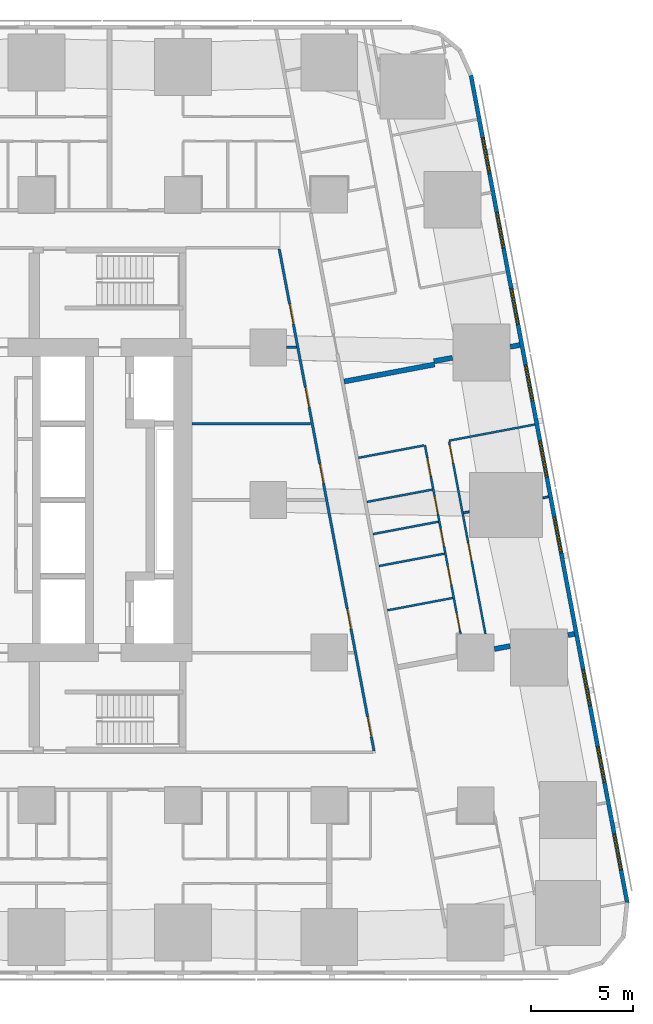
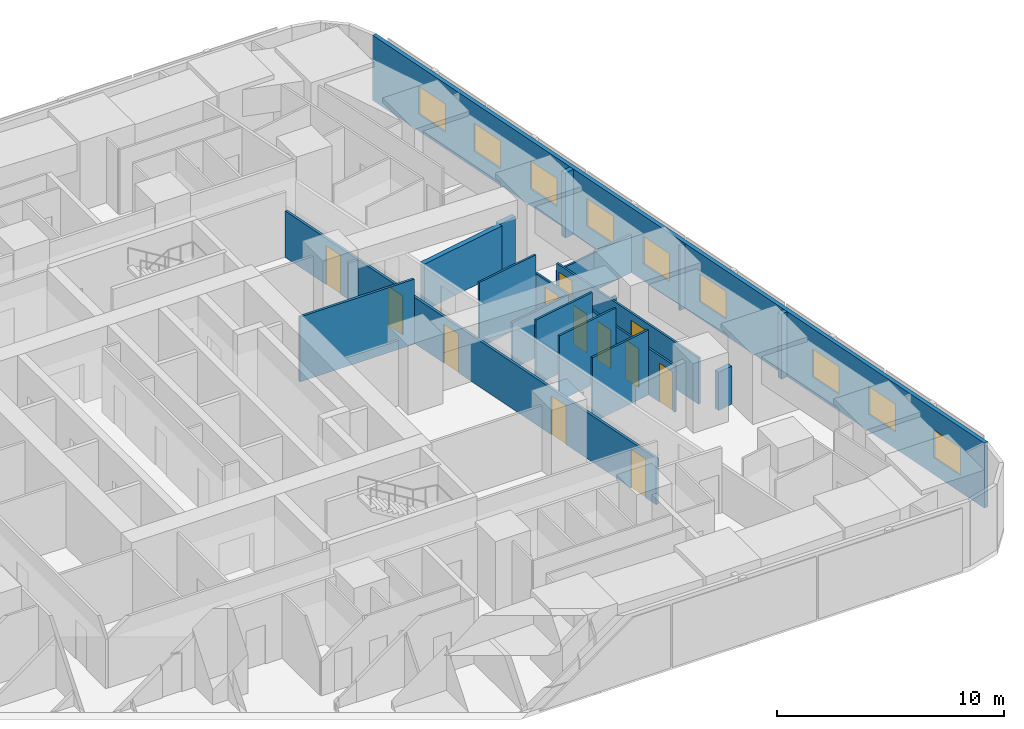
# One storey, part 10 of 18: 19 walls, 12 doors, 9 windows, 21 openings.
"""IFC4 building model written with IfcOpenShell, lengths in metres."""

import ifcopenshell
import ifcopenshell.guid

model = None  # the IFC model being written
_history = None  # IfcOwnerHistory: only IFC2X3 demands one
_inside = {}  # id of a spatial element -> (the spatial element, [elements in it])
_under = {}  # id of a project, library or spatial element -> (it, [spatial elements below it])
_declared = {}  # id of a project -> (the project, [libraries it declares])
_typed = {}  # id of a type object -> (the type object, [elements of that type])
_made_of = {}  # id of a material, layer set ... -> (it, [elements and type objects made of it])


def new_model(schema):
    """Start an empty IFC model of exactly this schema.

    Asked for "IFC4X3", IfcOpenShell would pick the latest addendum, in which some entities
    have other attributes; the version numbers below select the first issue.
    IFC2X3 requires an IfcOwnerHistory on every rooted entity: one is made here for all.
    """
    global model, _history
    if schema == "IFC4X3":
        model = ifcopenshell.file(schema_version=(4, 3, 0, 0))
    else:
        model = ifcopenshell.file(schema=schema)
    _inside.clear()
    _under.clear()
    _declared.clear()
    _typed.clear()
    _made_of.clear()
    _history = None
    if model.schema == "IFC2X3":
        org = make("IfcOrganization", Name="unknown")
        user = make(
            "IfcPersonAndOrganization",
            ThePerson=make("IfcPerson", FamilyName="unknown"),
            TheOrganization=org,
        )
        app = make(
            "IfcApplication",
            ApplicationDeveloper=org,
            Version="unknown",
            ApplicationFullName="unknown",
            ApplicationIdentifier="unknown",
        )
        _history = make(
            "IfcOwnerHistory",
            OwningUser=user,
            OwningApplication=app,
            ChangeAction="ADDED",
            CreationDate=0,
        )
    return model


def make(cls, **values):
    """One entity of the class cls with the attributes given. An attribute that is None is left unset."""
    return model.create_entity(
        cls, **{name: value for name, value in values.items() if value is not None}
    )


def rooted(cls, **values):
    """An entity with a GlobalId (a new one), such as an element, a storey or a relation."""
    return make(cls, GlobalId=ifcopenshell.guid.new(), OwnerHistory=_history, **values)


def si_unit(unit_type, name, prefix=None):
    """IfcSIUnit, for example si_unit("LENGTHUNIT", "METRE", prefix="MILLI")."""
    return make("IfcSIUnit", UnitType=unit_type, Prefix=prefix, Name=name)


def assignment(units):
    """IfcUnitAssignment: the units of a project."""
    return None if units is None else make("IfcUnitAssignment", Units=units)


def point(xyz):
    """IfcCartesianPoint."""
    return None if xyz is None else make("IfcCartesianPoint", Coordinates=xyz)


def direction(xyz):
    """IfcDirection."""
    return None if xyz is None else make("IfcDirection", DirectionRatios=xyz)


def frame(location, z_axis=None, x_axis=None):
    """IfcAxis2Placement3D, a coordinate frame: its origin and axes. An axis left out is left unset."""
    return make(
        "IfcAxis2Placement3D",
        Location=point(location),
        Axis=direction(z_axis),
        RefDirection=direction(x_axis),
    )


def frame_2d(location, x_axis=None):
    """IfcAxis2Placement2D, a coordinate frame in the plane: its origin and x axis."""
    return make(
        "IfcAxis2Placement2D", Location=point(location), RefDirection=direction(x_axis)
    )


def origin():
    """The frame at (0, 0, 0) with its axes left unset."""
    return frame((0.0, 0.0, 0.0))


def place(relative_to, where):
    """IfcLocalPlacement: puts the frame where relative to a parent placement (None: the world)."""
    return make(
        "IfcLocalPlacement", PlacementRelTo=relative_to, RelativePlacement=where
    )


def context(
    kind, dimensions, precision=None, world=None, true_north=None, identifier=None
):
    """IfcGeometricRepresentationContext, for example the 3D "Model" context."""
    return make(
        "IfcGeometricRepresentationContext",
        ContextIdentifier=identifier,
        ContextType=kind,
        CoordinateSpaceDimension=dimensions,
        Precision=precision,
        WorldCoordinateSystem=world,
        TrueNorth=true_north,
    )


def subcontext(parent, identifier, kind, view, scale=None):
    """IfcGeometricRepresentationSubContext, for example "Body" below "Model"."""
    return make(
        "IfcGeometricRepresentationSubContext",
        ContextIdentifier=identifier,
        ContextType=kind,
        ParentContext=parent,
        TargetScale=scale,
        TargetView=view,
    )


def project(units=None, contexts=None):
    """IfcProject with its units and contexts."""
    return rooted(
        "IfcProject",
        Name="project",
        RepresentationContexts=contexts,
        UnitsInContext=assignment(units),
    )


def spatial(cls, under=None, at=None, **own):
    """A site, building, storey or space (cls), placed at a placement, below another one or the project."""
    s = rooted(cls, ObjectPlacement=at, **own)
    if under is not None:
        _under.setdefault(under.id(), (under, []))[1].append(s)
    return s


def profile(cls, at=None, kind="AREA", **sizes):
    """A parametric profile (cls). Its sizes go by their IFC names, for example OverallWidth=200.0."""
    return make(cls, ProfileType=kind, Position=at, **sizes)


def rectangle(**sizes):
    """IfcRectangleProfileDef."""
    return profile("IfcRectangleProfileDef", **sizes)


def extrude(swept, where, along, depth):
    """IfcExtrudedAreaSolid: the profile swept, set in the frame where, extruded along a direction by depth."""
    return make(
        "IfcExtrudedAreaSolid",
        SweptArea=swept,
        Position=where,
        ExtrudedDirection=direction(along),
        Depth=depth,
    )


def shape(context_of_items, identifier, shape_type, items):
    """IfcShapeRepresentation: the items that make up one representation, for example the "Body"."""
    return make(
        "IfcShapeRepresentation",
        ContextOfItems=context_of_items,
        RepresentationIdentifier=identifier,
        RepresentationType=shape_type,
        Items=items,
    )


def material(Name=None, Category=None):
    """IfcMaterial."""
    return make("IfcMaterial", Name=Name, Category=Category)


def layer(
    of_material, thickness, ventilated=None, Name=None, Category=None, Priority=None
):
    """IfcMaterialLayer: one layer of a wall or slab, of a material (None: an air gap)."""
    return make(
        "IfcMaterialLayer",
        Material=of_material,
        LayerThickness=thickness,
        IsVentilated=ventilated,
        Name=Name,
        Category=Category,
        Priority=Priority,
    )


def layer_set(layers, Name=None):
    """IfcMaterialLayerSet."""
    return make("IfcMaterialLayerSet", MaterialLayers=layers, LayerSetName=Name)


def made_of(thing, what):
    """Note that an element or type object is made of a material, layer set ...; save() writes the relation."""
    if what is not None:
        _made_of.setdefault(what.id(), (what, []))[1].append(thing)
    return thing


def type_object(cls, material=None, **own):
    """A type object (cls), such as IfcWallType, which elements share."""
    return made_of(rooted(cls, **own), material)


def element(
    cls,
    number,
    at=None,
    inside=None,
    cuts=None,
    type_object=None,
    material=None,
    context=None,
    identifier="Body",
    shape_type=None,
    held_by="IfcProductDefinitionShape",
    body=None,
    shapes=None,
    **own,
):
    """One element of the class cls, such as IfcWall. Its Tag is "e" and its number.

    at: its placement. inside: the storey or other place that contains it. cuts: it is an
    opening in that element (IfcRelVoidsElement). A single representation is given by context,
    identifier, shape_type and body (its items); several are given by shapes. held_by: the class
    of the entity that holds the representations. save() writes the other relations.
    """
    e = rooted(cls, Tag="e%d" % number, ObjectPlacement=at, **own)
    if body is not None:
        shapes = [shape(context, identifier, shape_type, body)]
    if shapes is not None:
        e.Representation = make(held_by, Representations=shapes)
    if inside is not None:
        _inside.setdefault(inside.id(), (inside, []))[1].append(e)
    if cuts is not None:
        rooted(
            "IfcRelVoidsElement", RelatingBuildingElement=cuts, RelatedOpeningElement=e
        )
    if type_object is not None:
        _typed.setdefault(type_object.id(), (type_object, []))[1].append(e)
    return made_of(e, material)


def fill(opening, filler):
    """IfcRelFillsElement: the door or window that sits in an opening."""
    return rooted(
        "IfcRelFillsElement",
        RelatingOpeningElement=opening,
        RelatedBuildingElement=filler,
    )


def aggregate(whole, parts):
    """IfcRelAggregates: a whole, such as a stair, and the parts it consists of."""
    return rooted("IfcRelAggregates", RelatingObject=whole, RelatedObjects=parts)


def save(model, path):
    """Write the relations noted so far, then the file.

    IfcRelAggregates (storeys below a building ...), IfcRelContainedInSpatialStructure (elements
    in a storey), IfcRelDefinesByType, IfcRelAssociatesMaterial and IfcRelDeclares: one each for
    every whole, place, type object, material and project.
    """
    for whole, parts in _under.values():
        aggregate(whole, parts)
    for where, things in _inside.values():
        rooted(
            "IfcRelContainedInSpatialStructure",
            RelatedElements=things,
            RelatingStructure=where,
        )
    for kind, things in _typed.values():
        rooted("IfcRelDefinesByType", RelatedObjects=things, RelatingType=kind)
    for what, things in _made_of.values():
        rooted("IfcRelAssociatesMaterial", RelatedObjects=things, RelatingMaterial=what)
    for by, libraries in _declared.values():
        rooted("IfcRelDeclares", RelatingContext=by, RelatedDefinitions=libraries)
    model.write(path)


model = new_model("IFC4")

# Units and contexts
model_context = context("Model", 3, precision=1e-05, world=origin(), true_north=direction((0.0, 1.0)))
body_context = subcontext(model_context, "Body", "Model", "MODEL_VIEW")
ifc_project = project(units=[si_unit("LENGTHUNIT", "METRE"), si_unit("AREAUNIT", "SQUARE_METRE"), si_unit("VOLUMEUNIT", "CUBIC_METRE"), si_unit("PLANEANGLEUNIT", "RADIAN"), si_unit("MASSUNIT", "GRAM", prefix="KILO")], contexts=[model_context])

# Site, building, storey
site_placement = place(None, origin())
site = spatial("IfcSite", under=ifc_project, at=site_placement, CompositionType="ELEMENT")
building_placement = place(site_placement, origin())
building = spatial("IfcBuilding", under=site, at=building_placement, Name="Sheger Commons Tower", CompositionType="ELEMENT")
storey_placement = place(building_placement, frame((0.0, 0.0, 38.75)))
storey = spatial("IfcBuildingStorey", under=building, at=storey_placement, Name="L09", CompositionType="ELEMENT", Elevation=38.75)

# Walls
ifc_material_1 = material(Name="Dense concrete block masonry, plastered both sides (separating wall between flats)", Category="masonry")
ifc_layer_1 = layer(ifc_material_1, 0.25)
ifc_layer_set_1 = layer_set([ifc_layer_1], Name="DEMISING WALL 250")
wall_type_1 = type_object("IfcWallType", Name="DEMISING WALL 250", PredefinedType="SOLIDWALL", material=ifc_layer_set_1)
wall_1_placement = place(storey_placement, frame((45.3720703125, 30.12109375, 0.0), z_axis=(0.0, 0.0, 1.0), x_axis=(-0.982352019699, -0.187041464366, 0.0)))
element("IfcWall", 1, at=wall_1_placement, inside=storey, type_object=wall_type_1, Name="Demising wall L09", PredefinedType="SOLIDWALL", context=body_context, shape_type="SweptSolid", body=[
    extrude(rectangle(XDim=0.476318359375, YDim=0.25, at=frame_2d((0.23828125, 0.0))), origin(), (0.0, 0.0, 1.0), 3.5),
])
wall_2_placement = place(storey_placement, frame((42.055908203125, 29.493896484375, 0.0), z_axis=(0.0, 0.0, 1.0), x_axis=(-0.982587178881, -0.185802141803, 0.0)))
element("IfcWall", 2, at=wall_2_placement, inside=storey, type_object=wall_type_1, Name="Demising wall L09", PredefinedType="SOLIDWALL", context=body_context, shape_type="SweptSolid", body=[
    extrude(rectangle(XDim=0.925048828125, YDim=0.25, at=frame_2d((0.46240234375, 0.0))), origin(), (0.0, 0.0, 1.0), 2.5),
])
wall_3_placement = place(storey_placement, frame((41.177001953125, 29.1640625, 0.0), z_axis=(0.0, 0.0, 1.0), x_axis=(-0.982612837616, -0.185666398014, 0.0)))
element("IfcWall", 3, at=wall_3_placement, inside=storey, type_object=wall_type_1, Name="Demising wall L09", PredefinedType="SOLIDWALL", context=body_context, shape_type="SweptSolid", body=[
    extrude(rectangle(XDim=4.524658203125, YDim=0.25, at=frame_2d((2.26220703125, 0.0))), origin(), (0.0, 0.0, 1.0), 2.5),
])
wall_4_placement = place(storey_placement, frame((48.054931640625, 15.9169921875, 0.0), z_axis=(0.0, 0.0, 1.0), x_axis=(-0.982510408223, -0.186207673669, 0.0)))
element("IfcWall", 4, at=wall_4_placement, inside=storey, type_object=wall_type_1, Name="Demising wall L09", PredefinedType="SOLIDWALL", context=body_context, shape_type="SweptSolid", body=[
    extrude(rectangle(XDim=0.322509765625, YDim=0.25, at=frame_2d((0.1611328125, 0.0))), origin(), (0.0, 0.0, 1.0), 3.5),
])
wall_5_placement = place(storey_placement, frame((44.889892578125, 15.319091796875, 0.0), z_axis=(0.0, 0.0, 1.0), x_axis=(-0.982540856152, -0.186046945666, 0.0)))
element("IfcWall", 5, at=wall_5_placement, inside=storey, type_object=wall_type_1, Name="Demising wall L09", PredefinedType="SOLIDWALL", context=body_context, shape_type="SweptSolid", body=[
    extrude(rectangle(XDim=0.779541015625, YDim=0.25, at=frame_2d((0.3896484375, 0.0))), origin(), (0.0, 0.0, 1.0), 2.050048828125),
])

# Wall, openings, windows
ifc_material_2 = material(Name="Rendered concrete block masonry, dark grey", Category="masonry")
ifc_layer_2 = layer(ifc_material_2, 0.199951171875)
ifc_layer_set_2 = layer_set([ifc_layer_2], Name="FACADE WALL 200")
wall_type_2 = type_object("IfcWallType", Name="FACADE WALL 200", PredefinedType="SOLIDWALL", material=ifc_layer_set_2)
wall_6_placement = place(storey_placement, frame((50.653076171875, 2.702880859375, 0.0), z_axis=(0.0, 0.0, 1.0), x_axis=(-0.185612026696, 0.982623109613, 0.0)))
wall_6 = element("IfcWall", 6, at=wall_6_placement, inside=storey, type_object=wall_type_2, Name="Facade wall L09", PredefinedType="SOLIDWALL", context=body_context, shape_type="SweptSolid", body=[
    extrude(rectangle(XDim=41.393310546875, YDim=0.199951171875, at=frame_2d((20.69677734375, 0.0))), origin(), (0.0, 0.0, 1.0), 3.5),
])
opening_1_placement = place(wall_6_placement, frame((1.633056640625, 0.0, 0.89990234375)))
opening_1 = element("IfcOpeningElement", 7, at=opening_1_placement, cuts=wall_6, Name="Opening W2", PredefinedType="OPENING", context=body_context, shape_type="SweptSolid", body=[
    extrude(rectangle(XDim=1.800048828125, YDim=1.5, at=frame_2d((0.89990234375, 0.75))), frame((0.0, 0.10986328125, 0.0), z_axis=(0.0, -1.0, 0.0), x_axis=(1.0, 0.0, 0.0)), (0.0, 0.0, 1.0), 0.219970703125),
])
opening_2_placement = place(wall_6_placement, frame((6.031982421875, 0.0, 0.89990234375)))
opening_2 = element("IfcOpeningElement", 8, at=opening_2_placement, cuts=wall_6, Name="Opening W2", PredefinedType="OPENING", context=body_context, shape_type="SweptSolid", body=[
    extrude(rectangle(XDim=1.800048828125, YDim=1.5, at=frame_2d((0.89990234375, 0.75))), frame((0.0, 0.10986328125, 0.0), z_axis=(0.0, -1.0, 0.0), x_axis=(1.0, 0.0, 0.0)), (0.0, 0.0, 1.0), 0.219970703125),
])
opening_3_placement = place(wall_6_placement, frame((9.847900390625, 0.0, 0.89990234375)))
opening_3 = element("IfcOpeningElement", 9, at=opening_3_placement, cuts=wall_6, Name="Opening W2", PredefinedType="OPENING", context=body_context, shape_type="SweptSolid", body=[
    extrude(rectangle(XDim=1.800048828125, YDim=1.5, at=frame_2d((0.89990234375, 0.75))), frame((0.0, 0.10986328125, 0.0), z_axis=(0.0, -1.0, 0.0), x_axis=(1.0, 0.0, 0.0)), (0.0, 0.0, 1.0), 0.219970703125),
])
opening_4_placement = place(wall_6_placement, frame((17.48095703125, 0.0, 0.89990234375)))
opening_4 = element("IfcOpeningElement", 10, at=opening_4_placement, cuts=wall_6, Name="Opening W2", PredefinedType="OPENING", context=body_context, shape_type="SweptSolid", body=[
    extrude(rectangle(XDim=1.800048828125, YDim=1.5, at=frame_2d((0.89990234375, 0.75))), frame((0.0, 0.10986328125, 0.0), z_axis=(0.0, -1.0, 0.0), x_axis=(1.0, 0.0, 0.0)), (0.0, 0.0, 1.0), 0.219970703125),
])
opening_5_placement = place(wall_6_placement, frame((21.297119140625, 0.0, 0.89990234375)))
opening_5 = element("IfcOpeningElement", 11, at=opening_5_placement, cuts=wall_6, Name="Opening W2", PredefinedType="OPENING", context=body_context, shape_type="SweptSolid", body=[
    extrude(rectangle(XDim=1.800048828125, YDim=1.5, at=frame_2d((0.89990234375, 0.75))), frame((0.0, 0.10986328125, 0.0), z_axis=(0.0, -1.0, 0.0), x_axis=(1.0, 0.0, 0.0)), (0.0, 0.0, 1.0), 0.219970703125),
])
opening_6_placement = place(wall_6_placement, frame((25.113037109375, 0.0, 0.89990234375)))
opening_6 = element("IfcOpeningElement", 12, at=opening_6_placement, cuts=wall_6, Name="Opening W2", PredefinedType="OPENING", context=body_context, shape_type="SweptSolid", body=[
    extrude(rectangle(XDim=1.800048828125, YDim=1.5, at=frame_2d((0.89990234375, 0.75))), frame((0.0, 0.10986328125, 0.0), z_axis=(0.0, -1.0, 0.0), x_axis=(1.0, 0.0, 0.0)), (0.0, 0.0, 1.0), 0.219970703125),
])
opening_7_placement = place(wall_6_placement, frame((28.929931640625, 0.0, 0.89990234375)))
opening_7 = element("IfcOpeningElement", 13, at=opening_7_placement, cuts=wall_6, Name="Opening W2", PredefinedType="OPENING", context=body_context, shape_type="SweptSolid", body=[
    extrude(rectangle(XDim=1.800048828125, YDim=1.5, at=frame_2d((0.89990234375, 0.75))), frame((0.0, 0.10986328125, 0.0), z_axis=(0.0, -1.0, 0.0), x_axis=(1.0, 0.0, 0.0)), (0.0, 0.0, 1.0), 0.219970703125),
])
opening_8_placement = place(wall_6_placement, frame((32.74609375, 0.0, 0.89990234375)))
opening_8 = element("IfcOpeningElement", 14, at=opening_8_placement, cuts=wall_6, Name="Opening W2", PredefinedType="OPENING", context=body_context, shape_type="SweptSolid", body=[
    extrude(rectangle(XDim=1.800048828125, YDim=1.5, at=frame_2d((0.89990234375, 0.75))), frame((0.0, 0.10986328125, 0.0), z_axis=(0.0, -1.0, 0.0), x_axis=(1.0, 0.0, 0.0)), (0.0, 0.0, 1.0), 0.219970703125),
])
opening_9_placement = place(wall_6_placement, frame((36.48095703125, 0.0, 0.89990234375)))
opening_9 = element("IfcOpeningElement", 15, at=opening_9_placement, cuts=wall_6, Name="Opening W2", PredefinedType="OPENING", context=body_context, shape_type="SweptSolid", body=[
    extrude(rectangle(XDim=1.800048828125, YDim=1.5, at=frame_2d((0.89990234375, 0.75))), frame((0.0, 0.10986328125, 0.0), z_axis=(0.0, -1.0, 0.0), x_axis=(1.0, 0.0, 0.0)), (0.0, 0.0, 1.0), 0.219970703125),
])
ifc_material_3 = material(Name="Black aluminium frame, dark tinted double glazing", Category="aluminium")
window_type = type_object("IfcWindowType", Name="WINDOW W2 1800x1500", PartitioningType="SINGLE_PANEL", PredefinedType="WINDOW", material=ifc_material_3)
window_1_placement = place(opening_1_placement, origin())
window_1 = element("IfcWindow", 16, at=window_1_placement, inside=storey, type_object=window_type, Name="Window W2 1800X1500", OverallHeight=1.5, OverallWidth=1.800048828125, PartitioningType="SINGLE_PANEL", PredefinedType="WINDOW", context=body_context, shape_type="SweptSolid", body=[
    extrude(rectangle(XDim=1.800048828125, YDim=1.5, at=frame_2d((0.89990234375, 0.75))), frame((0.0, 0.030029296875, 0.0), z_axis=(0.0, -1.0, 0.0), x_axis=(1.0, 0.0, 0.0)), (0.0, 0.0, 1.0), 0.06005859375),
])
fill(opening_1, window_1)
window_2_placement = place(opening_2_placement, origin())
window_2 = element("IfcWindow", 17, at=window_2_placement, inside=storey, type_object=window_type, Name="Window W2 1800X1500", OverallHeight=1.5, OverallWidth=1.800048828125, PartitioningType="SINGLE_PANEL", PredefinedType="WINDOW", context=body_context, shape_type="SweptSolid", body=[
    extrude(rectangle(XDim=1.800048828125, YDim=1.5, at=frame_2d((0.89990234375, 0.75))), frame((0.0, 0.030029296875, 0.0), z_axis=(0.0, -1.0, 0.0), x_axis=(1.0, 0.0, 0.0)), (0.0, 0.0, 1.0), 0.06005859375),
])
fill(opening_2, window_2)
window_3_placement = place(opening_3_placement, origin())
window_3 = element("IfcWindow", 18, at=window_3_placement, inside=storey, type_object=window_type, Name="Window W2 1800X1500", OverallHeight=1.5, OverallWidth=1.800048828125, PartitioningType="SINGLE_PANEL", PredefinedType="WINDOW", context=body_context, shape_type="SweptSolid", body=[
    extrude(rectangle(XDim=1.800048828125, YDim=1.5, at=frame_2d((0.89990234375, 0.75))), frame((0.0, 0.030029296875, 0.0), z_axis=(0.0, -1.0, 0.0), x_axis=(1.0, 0.0, 0.0)), (0.0, 0.0, 1.0), 0.06005859375),
])
fill(opening_3, window_3)
window_4_placement = place(opening_4_placement, origin())
window_4 = element("IfcWindow", 19, at=window_4_placement, inside=storey, type_object=window_type, Name="Window W2 1800X1500", OverallHeight=1.5, OverallWidth=1.800048828125, PartitioningType="SINGLE_PANEL", PredefinedType="WINDOW", context=body_context, shape_type="SweptSolid", body=[
    extrude(rectangle(XDim=1.800048828125, YDim=1.5, at=frame_2d((0.89990234375, 0.75))), frame((0.0, 0.030029296875, 0.0), z_axis=(0.0, -1.0, 0.0), x_axis=(1.0, 0.0, 0.0)), (0.0, 0.0, 1.0), 0.06005859375),
])
fill(opening_4, window_4)
window_5_placement = place(opening_5_placement, origin())
window_5 = element("IfcWindow", 20, at=window_5_placement, inside=storey, type_object=window_type, Name="Window W2 1800X1500", OverallHeight=1.5, OverallWidth=1.800048828125, PartitioningType="SINGLE_PANEL", PredefinedType="WINDOW", context=body_context, shape_type="SweptSolid", body=[
    extrude(rectangle(XDim=1.800048828125, YDim=1.5, at=frame_2d((0.89990234375, 0.75))), frame((0.0, 0.030029296875, 0.0), z_axis=(0.0, -1.0, 0.0), x_axis=(1.0, 0.0, 0.0)), (0.0, 0.0, 1.0), 0.06005859375),
])
fill(opening_5, window_5)
window_6_placement = place(opening_6_placement, origin())
window_6 = element("IfcWindow", 21, at=window_6_placement, inside=storey, type_object=window_type, Name="Window W2 1800X1500", OverallHeight=1.5, OverallWidth=1.800048828125, PartitioningType="SINGLE_PANEL", PredefinedType="WINDOW", context=body_context, shape_type="SweptSolid", body=[
    extrude(rectangle(XDim=1.800048828125, YDim=1.5, at=frame_2d((0.89990234375, 0.75))), frame((0.0, 0.030029296875, 0.0), z_axis=(0.0, -1.0, 0.0), x_axis=(1.0, 0.0, 0.0)), (0.0, 0.0, 1.0), 0.06005859375),
])
fill(opening_6, window_6)
window_7_placement = place(opening_7_placement, origin())
window_7 = element("IfcWindow", 22, at=window_7_placement, inside=storey, type_object=window_type, Name="Window W2 1800X1500", OverallHeight=1.5, OverallWidth=1.800048828125, PartitioningType="SINGLE_PANEL", PredefinedType="WINDOW", context=body_context, shape_type="SweptSolid", body=[
    extrude(rectangle(XDim=1.800048828125, YDim=1.5, at=frame_2d((0.89990234375, 0.75))), frame((0.0, 0.030029296875, 0.0), z_axis=(0.0, -1.0, 0.0), x_axis=(1.0, 0.0, 0.0)), (0.0, 0.0, 1.0), 0.06005859375),
])
fill(opening_7, window_7)
window_8_placement = place(opening_8_placement, origin())
window_8 = element("IfcWindow", 23, at=window_8_placement, inside=storey, type_object=window_type, Name="Window W2 1800X1500", OverallHeight=1.5, OverallWidth=1.800048828125, PartitioningType="SINGLE_PANEL", PredefinedType="WINDOW", context=body_context, shape_type="SweptSolid", body=[
    extrude(rectangle(XDim=1.800048828125, YDim=1.5, at=frame_2d((0.89990234375, 0.75))), frame((0.0, 0.030029296875, 0.0), z_axis=(0.0, -1.0, 0.0), x_axis=(1.0, 0.0, 0.0)), (0.0, 0.0, 1.0), 0.06005859375),
])
fill(opening_8, window_8)
window_9_placement = place(opening_9_placement, origin())
window_9 = element("IfcWindow", 24, at=window_9_placement, inside=storey, type_object=window_type, Name="Window W2 1800X1500", OverallHeight=1.5, OverallWidth=1.800048828125, PartitioningType="SINGLE_PANEL", PredefinedType="WINDOW", context=body_context, shape_type="SweptSolid", body=[
    extrude(rectangle(XDim=1.800048828125, YDim=1.5, at=frame_2d((0.89990234375, 0.75))), frame((0.0, 0.030029296875, 0.0), z_axis=(0.0, -1.0, 0.0), x_axis=(1.0, 0.0, 0.0)), (0.0, 0.0, 1.0), 0.06005859375),
])
fill(opening_9, window_9)

# Wall, openings, doors
ifc_material_4 = material(Name="Gypsum board on steel studs", Category="steel")
ifc_layer_3 = layer(ifc_material_4, 0.10009765625)
ifc_layer_set_3 = layer_set([ifc_layer_3], Name="PARTITION 100")
wall_type_3 = type_object("IfcWallType", Name="PARTITION 100", PredefinedType="PARTITIONING", material=ifc_layer_set_3)
wall_7_placement = place(storey_placement, frame((41.89404296875, 25.365966796875, 0.0), z_axis=(0.0, 0.0, 1.0), x_axis=(0.185581190027, -0.982628933987, 0.0)))
wall_7 = element("IfcWall", 25, at=wall_7_placement, inside=storey, type_object=wall_type_3, Name="Partition L09", PredefinedType="PARTITIONING", context=body_context, shape_type="SweptSolid", body=[
    extrude(rectangle(XDim=9.623291015625, YDim=0.10009765625, at=frame_2d((4.8115234375, 0.0))), origin(), (0.0, 0.0, 1.0), 2.5),
])
opening_10_placement = place(wall_7_placement, frame((0.15087890625, 0.0, 0.0)))
opening_10 = element("IfcOpeningElement", 26, at=opening_10_placement, cuts=wall_7, Name="Opening D2", PredefinedType="OPENING", context=body_context, shape_type="SweptSolid", body=[
    extrude(rectangle(XDim=0.89990234375, YDim=2.10009765625, at=frame_2d((0.449951171875, 1.050048828125))), frame((0.0, 0.06005859375, 0.0), z_axis=(0.0, -1.0, 0.0), x_axis=(1.0, 0.0, 0.0)), (0.0, 0.0, 1.0), 0.1201171875),
])
opening_11_placement = place(wall_7_placement, frame((5.050048828125, 0.0, 0.0)))
opening_11 = element("IfcOpeningElement", 27, at=opening_11_placement, cuts=wall_7, Name="Opening D2", PredefinedType="OPENING", context=body_context, shape_type="SweptSolid", body=[
    extrude(rectangle(XDim=0.89990234375, YDim=2.10009765625, at=frame_2d((0.449951171875, 1.050048828125))), frame((0.0, 0.06005859375, 0.0), z_axis=(0.0, -1.0, 0.0), x_axis=(1.0, 0.0, 0.0)), (0.0, 0.0, 1.0), 0.1201171875),
])
ifc_material_5 = material(Name="Timber door set", Category="wood")
door_type_1 = type_object("IfcDoorType", Name="INTERNAL DOOR 900x2100", OperationType="NOTDEFINED", PredefinedType="DOOR", material=ifc_material_5)
door_1_placement = place(opening_10_placement, origin())
door_1 = element("IfcDoor", 28, at=door_1_placement, inside=storey, type_object=door_type_1, Name="Main bedroom door", OperationType="SINGLE_SWING_LEFT", OverallHeight=2.10009765625, OverallWidth=0.89990234375, PredefinedType="DOOR", context=body_context, shape_type="SweptSolid", body=[
    extrude(rectangle(XDim=0.89990234375, YDim=2.10009765625, at=frame_2d((0.449951171875, 1.050048828125))), frame((0.0, 0.02490234375, 0.0), z_axis=(0.0, -1.0, 0.0), x_axis=(1.0, 0.0, 0.0)), (0.0, 0.0, 1.0), 0.050048828125),
])
fill(opening_10, door_1)
door_2_placement = place(opening_11_placement, origin())
door_2 = element("IfcDoor", 29, at=door_2_placement, inside=storey, type_object=door_type_1, Name="Bedroom 2 door", OperationType="SINGLE_SWING_LEFT", OverallHeight=2.10009765625, OverallWidth=0.89990234375, PredefinedType="DOOR", context=body_context, shape_type="SweptSolid", body=[
    extrude(rectangle(XDim=0.89990234375, YDim=2.10009765625, at=frame_2d((0.449951171875, 1.050048828125))), frame((0.0, 0.02490234375, 0.0), z_axis=(0.0, -1.0, 0.0), x_axis=(1.0, 0.0, 0.0)), (0.0, 0.0, 1.0), 0.050048828125),
])
fill(opening_11, door_2)

wall_8_placement = place(storey_placement, frame((40.7060546875, 25.19189453125, 0.0), z_axis=(0.0, 0.0, 1.0), x_axis=(0.185572668944, -0.982630543257, 0.0)))
wall_8 = element("IfcWall", 30, at=wall_8_placement, inside=storey, type_object=wall_type_3, Name="Partition L09", PredefinedType="PARTITIONING", context=body_context, shape_type="SweptSolid", body=[
    extrude(rectangle(XDim=9.446044921875, YDim=0.10009765625, at=frame_2d((4.72314453125, 0.0))), origin(), (0.0, 0.0, 1.0), 2.5),
])
opening_12_placement = place(wall_8_placement, frame((0.655029296875, 0.0, 0.0)))
opening_12 = element("IfcOpeningElement", 31, at=opening_12_placement, cuts=wall_8, Name="Opening D2", PredefinedType="OPENING", context=body_context, shape_type="SweptSolid", body=[
    extrude(rectangle(XDim=0.89990234375, YDim=2.10009765625, at=frame_2d((0.449951171875, 1.050048828125))), frame((0.0, 0.06005859375, 0.0), z_axis=(0.0, -1.0, 0.0), x_axis=(1.0, 0.0, 0.0)), (0.0, 0.0, 1.0), 0.1201171875),
])
opening_13_placement = place(wall_8_placement, frame((4.166015625, 0.0, 0.0)))
opening_13 = element("IfcOpeningElement", 32, at=opening_13_placement, cuts=wall_8, Name="Opening D2", PredefinedType="OPENING", context=body_context, shape_type="SweptSolid", body=[
    extrude(rectangle(XDim=0.89990234375, YDim=2.10009765625, at=frame_2d((0.449951171875, 1.050048828125))), frame((0.0, 0.06005859375, 0.0), z_axis=(0.0, -1.0, 0.0), x_axis=(1.0, 0.0, 0.0)), (0.0, 0.0, 1.0), 0.1201171875),
])
opening_14_placement = place(wall_8_placement, frame((8.39599609375, 0.0, 0.0)))
opening_14 = element("IfcOpeningElement", 33, at=opening_14_placement, cuts=wall_8, Name="Opening D2", PredefinedType="OPENING", context=body_context, shape_type="SweptSolid", body=[
    extrude(rectangle(XDim=0.89990234375, YDim=2.10009765625, at=frame_2d((0.449951171875, 1.050048828125))), frame((0.0, 0.06005859375, 0.0), z_axis=(0.0, -1.0, 0.0), x_axis=(1.0, 0.0, 0.0)), (0.0, 0.0, 1.0), 0.1201171875),
])
opening_15_placement = place(wall_8_placement, frame((2.56298828125, 0.0, 0.0)))
opening_15 = element("IfcOpeningElement", 34, at=opening_15_placement, cuts=wall_8, Name="Opening D2", PredefinedType="OPENING", context=body_context, shape_type="SweptSolid", body=[
    extrude(rectangle(XDim=0.89990234375, YDim=2.10009765625, at=frame_2d((0.449951171875, 1.050048828125))), frame((0.0, 0.06005859375, 0.0), z_axis=(0.0, -1.0, 0.0), x_axis=(1.0, 0.0, 0.0)), (0.0, 0.0, 1.0), 0.1201171875),
])
opening_16_placement = place(wall_8_placement, frame((6.073974609375, 0.0, 0.0)))
opening_16 = element("IfcOpeningElement", 35, at=opening_16_placement, cuts=wall_8, Name="Opening D2", PredefinedType="OPENING", context=body_context, shape_type="SweptSolid", body=[
    extrude(rectangle(XDim=0.89990234375, YDim=2.10009765625, at=frame_2d((0.449951171875, 1.050048828125))), frame((0.0, 0.06005859375, 0.0), z_axis=(0.0, -1.0, 0.0), x_axis=(1.0, 0.0, 0.0)), (0.0, 0.0, 1.0), 0.1201171875),
])
door_3_placement = place(opening_12_placement, origin())
door_3 = element("IfcDoor", 36, at=door_3_placement, inside=storey, type_object=door_type_1, Name="Bathroom door", OperationType="SINGLE_SWING_RIGHT", OverallHeight=2.10009765625, OverallWidth=0.89990234375, PredefinedType="DOOR", context=body_context, shape_type="SweptSolid", body=[
    extrude(rectangle(XDim=0.89990234375, YDim=2.10009765625, at=frame_2d((0.449951171875, 1.050048828125))), frame((0.0, 0.02490234375, 0.0), z_axis=(0.0, -1.0, 0.0), x_axis=(1.0, 0.0, 0.0)), (0.0, 0.0, 1.0), 0.050048828125),
])
fill(opening_12, door_3)
door_4_placement = place(opening_13_placement, origin())
door_4 = element("IfcDoor", 37, at=door_4_placement, inside=storey, type_object=door_type_1, Name="Shower room door", OperationType="SINGLE_SWING_LEFT", OverallHeight=2.10009765625, OverallWidth=0.89990234375, PredefinedType="DOOR", context=body_context, shape_type="SweptSolid", body=[
    extrude(rectangle(XDim=0.89990234375, YDim=2.10009765625, at=frame_2d((0.449951171875, 1.050048828125))), frame((0.0, 0.02490234375, 0.0), z_axis=(0.0, -1.0, 0.0), x_axis=(1.0, 0.0, 0.0)), (0.0, 0.0, 1.0), 0.050048828125),
])
fill(opening_13, door_4)
door_5_placement = place(opening_14_placement, origin())
door_5 = element("IfcDoor", 38, at=door_5_placement, inside=storey, type_object=door_type_1, Name="Store and laundry door", OperationType="SINGLE_SWING_LEFT", OverallHeight=2.10009765625, OverallWidth=0.89990234375, PredefinedType="DOOR", context=body_context, shape_type="SweptSolid", body=[
    extrude(rectangle(XDim=0.89990234375, YDim=2.10009765625, at=frame_2d((0.449951171875, 1.050048828125))), frame((0.0, 0.02490234375, 0.0), z_axis=(0.0, -1.0, 0.0), x_axis=(1.0, 0.0, 0.0)), (0.0, 0.0, 1.0), 0.050048828125),
])
fill(opening_14, door_5)
door_6_placement = place(opening_15_placement, origin())
door_6 = element("IfcDoor", 39, at=door_6_placement, inside=storey, type_object=door_type_1, Name="Store door", OperationType="SINGLE_SWING_RIGHT", OverallHeight=2.10009765625, OverallWidth=0.89990234375, PredefinedType="DOOR", context=body_context, shape_type="SweptSolid", body=[
    extrude(rectangle(XDim=0.89990234375, YDim=2.10009765625, at=frame_2d((0.449951171875, 1.050048828125))), frame((0.0, 0.02490234375, 0.0), z_axis=(0.0, -1.0, 0.0), x_axis=(1.0, 0.0, 0.0)), (0.0, 0.0, 1.0), 0.050048828125),
])
fill(opening_15, door_6)
door_7_placement = place(opening_16_placement, origin())
door_7 = element("IfcDoor", 40, at=door_7_placement, inside=storey, type_object=door_type_1, Name="Store door", OperationType="SINGLE_SWING_RIGHT", OverallHeight=2.10009765625, OverallWidth=0.89990234375, PredefinedType="DOOR", context=body_context, shape_type="SweptSolid", body=[
    extrude(rectangle(XDim=0.89990234375, YDim=2.10009765625, at=frame_2d((0.449951171875, 1.050048828125))), frame((0.0, 0.02490234375, 0.0), z_axis=(0.0, -1.0, 0.0), x_axis=(1.0, 0.0, 0.0)), (0.0, 0.0, 1.0), 0.050048828125),
])
fill(opening_16, door_7)

# Walls
wall_9_placement = place(storey_placement, frame((46.110107421875, 26.212890625, 0.0), z_axis=(0.0, 0.0, 1.0), x_axis=(-0.982633535512, -0.185556823879, 0.0)))
element("IfcWall", 41, at=wall_9_placement, inside=storey, type_object=wall_type_3, Name="Partition L09", PredefinedType="PARTITIONING", context=body_context, shape_type="SweptSolid", body=[
    extrude(rectangle(XDim=4.2998046875, YDim=0.10009765625, at=frame_2d((2.14990234375, 0.0))), origin(), (0.0, 0.0, 1.0), 2.050048828125),
])
wall_10_placement = place(storey_placement, frame((46.781982421875, 22.656982421875, 0.0), z_axis=(0.0, 0.0, 1.0), x_axis=(-0.982574553168, -0.185868898601, 0.0)))
element("IfcWall", 42, at=wall_10_placement, inside=storey, type_object=wall_type_3, Name="Partition L09", PredefinedType="PARTITIONING", context=body_context, shape_type="SweptSolid", body=[
    extrude(rectangle(XDim=0.27978515625, YDim=0.10009765625, at=frame_2d((0.139892578125, 0.0))), origin(), (0.0, 0.0, 1.0), 3.5),
])
wall_11_placement = place(storey_placement, frame((42.886962890625, 21.9208984375, 0.0), z_axis=(0.0, 0.0, 1.0), x_axis=(-0.982688058078, -0.185267861514, 0.0)))
element("IfcWall", 43, at=wall_11_placement, inside=storey, type_object=wall_type_3, Name="Partition L09", PredefinedType="PARTITIONING", context=body_context, shape_type="SweptSolid", body=[
    extrude(rectangle(XDim=0.285888671875, YDim=0.10009765625, at=frame_2d((0.14306640625, 0.0))), origin(), (0.0, 0.0, 1.0), 2.5),
])
for number, where, z_axis, x_axis, name in (
    (44, (40.656982421875, 25.18310546875, 0.0), (0.0, 0.0, 1.0), (-0.982607026909, -0.185697147715, 0.0), "Partition L09"),
    (45, (41.364990234375, 21.43310546875, 0.0), (0.0, 0.0, 1.0), (-0.982607026909, -0.185697147715, 0.0), "Partition L09"),
    (46, (42.072998046875, 17.68310546875, 0.0), (0.0, 0.0, 1.0), (-0.982607026909, -0.185697147715, 0.0), "Partition L09"),
):
    element("IfcWall", number, at=place(storey_placement, frame(where, z_axis=z_axis, x_axis=x_axis)), inside=storey, type_object=wall_type_3, Name=name, PredefinedType="PARTITIONING", context=body_context, shape_type="SweptSolid", body=[
        extrude(rectangle(XDim=3.27490234375, YDim=0.10009765625, at=frame_2d((1.637451171875, 0.0))), origin(), (0.0, 0.0, 1.0), 3.5),
    ])
wall_12_placement = place(storey_placement, frame((41.06689453125, 23.010986328125, 0.0), z_axis=(0.0, 0.0, 1.0), x_axis=(-0.982618057925, -0.185638768151, 0.0)))
element("IfcWall", 47, at=wall_12_placement, inside=storey, type_object=wall_type_3, Name="Partition L09", PredefinedType="PARTITIONING", context=body_context, shape_type="SweptSolid", body=[
    extrude(rectangle(XDim=3.274658203125, YDim=0.10009765625, at=frame_2d((1.63720703125, 0.0))), origin(), (0.0, 0.0, 1.0), 2.5),
])
wall_13_placement = place(storey_placement, frame((41.662109375, 19.861083984375, 0.0), z_axis=(0.0, 0.0, 1.0), x_axis=(-0.982607026909, -0.185697147715, 0.0)))
element("IfcWall", 48, at=wall_13_placement, inside=storey, type_object=wall_type_3, Name="Partition L09", PredefinedType="PARTITIONING", context=body_context, shape_type="SweptSolid", body=[
    extrude(rectangle(XDim=3.27490234375, YDim=0.10009765625, at=frame_2d((1.637451171875, 0.0))), origin(), (0.0, 0.0, 1.0), 3.5),
])

# Wall, openings, doors
ifc_material_6 = material(Name="Gypsum board on steel studs, two layers each side, fire rated", Category="steel")
ifc_layer_4 = layer(ifc_material_6, 0.125)
ifc_layer_set_4 = layer_set([ifc_layer_4], Name="SERVICE WALL 125")
wall_type_4 = type_object("IfcWallType", Name="SERVICE WALL 125", PredefinedType="PARTITIONING", material=ifc_layer_set_4)
wall_14_placement = place(storey_placement, frame((38.201904296875, 10.1630859375, 0.0), z_axis=(0.0, 0.0, 1.0), x_axis=(-0.185610321132, 0.982623431783, 0.0)))
wall_14 = element("IfcWall", 49, at=wall_14_placement, inside=storey, type_object=wall_type_4, Name="Service room wall L09", PredefinedType="PARTITIONING", context=body_context, shape_type="SweptSolid", body=[
    extrude(rectangle(XDim=25.111083984375, YDim=0.125, at=frame_2d((12.5556640625, 0.0))), origin(), (0.0, 0.0, 1.0), 2.5),
])
opening_17_placement = place(wall_14_placement, frame((0.7080078125, 0.0, 0.0)))
opening_17 = element("IfcOpeningElement", 50, at=opening_17_placement, cuts=wall_14, Name="Opening D4", PredefinedType="OPENING", context=body_context, shape_type="SweptSolid", body=[
    extrude(rectangle(XDim=1.0, YDim=2.10009765625, at=frame_2d((0.5, 1.050048828125))), frame((0.0, 0.072509765625, 0.0), z_axis=(0.0, -1.0, 0.0), x_axis=(1.0, 0.0, 0.0)), (0.0, 0.0, 1.0), 0.14501953125),
])
opening_18_placement = place(wall_14_placement, frame((6.10009765625, 0.0, 0.0)))
opening_18 = element("IfcOpeningElement", 51, at=opening_18_placement, cuts=wall_14, Name="Opening D4", PredefinedType="OPENING", context=body_context, shape_type="SweptSolid", body=[
    extrude(rectangle(XDim=1.0, YDim=2.10009765625, at=frame_2d((0.5, 1.050048828125))), frame((0.0, 0.072509765625, 0.0), z_axis=(0.0, -1.0, 0.0), x_axis=(1.0, 0.0, 0.0)), (0.0, 0.0, 1.0), 0.14501953125),
])
opening_19_placement = place(wall_14_placement, frame((13.3779296875, 0.0, 0.0)))
opening_19 = element("IfcOpeningElement", 52, at=opening_19_placement, cuts=wall_14, Name="Opening D4", PredefinedType="OPENING", context=body_context, shape_type="SweptSolid", body=[
    extrude(rectangle(XDim=1.0, YDim=2.10009765625, at=frame_2d((0.5, 1.050048828125))), frame((0.0, 0.072509765625, 0.0), z_axis=(0.0, -1.0, 0.0), x_axis=(1.0, 0.0, 0.0)), (0.0, 0.0, 1.0), 0.14501953125),
])
opening_20_placement = place(wall_14_placement, frame((17.194091796875, 0.0, 0.0)))
opening_20 = element("IfcOpeningElement", 53, at=opening_20_placement, cuts=wall_14, Name="Opening D4", PredefinedType="OPENING", context=body_context, shape_type="SweptSolid", body=[
    extrude(rectangle(XDim=1.0, YDim=2.10009765625, at=frame_2d((0.5, 1.050048828125))), frame((0.0, 0.072509765625, 0.0), z_axis=(0.0, -1.0, 0.0), x_axis=(1.0, 0.0, 0.0)), (0.0, 0.0, 1.0), 0.14501953125),
])
opening_21_placement = place(wall_14_placement, frame((21.35009765625, 0.0, 0.0)))
opening_21 = element("IfcOpeningElement", 54, at=opening_21_placement, cuts=wall_14, Name="Opening D4", PredefinedType="OPENING", context=body_context, shape_type="SweptSolid", body=[
    extrude(rectangle(XDim=1.0, YDim=2.10009765625, at=frame_2d((0.5, 1.050048828125))), frame((0.0, 0.072509765625, 0.0), z_axis=(0.0, -1.0, 0.0), x_axis=(1.0, 0.0, 0.0)), (0.0, 0.0, 1.0), 0.14501953125),
])
ifc_material_7 = material(Name="Steel door set, fire rated", Category="steel")
door_type_2 = type_object("IfcDoorType", Name="SERVICE DOOR 1000x2100", OperationType="NOTDEFINED", PredefinedType="DOOR", material=ifc_material_7)
door_8_placement = place(opening_17_placement, origin())
door_8 = element("IfcDoor", 55, at=door_8_placement, inside=storey, type_object=door_type_2, Name="Residents' meeting room door", OperationType="SINGLE_SWING_LEFT", OverallHeight=2.10009765625, OverallWidth=1.0, PredefinedType="DOOR", context=body_context, shape_type="SweptSolid", body=[
    extrude(rectangle(XDim=1.0, YDim=2.10009765625, at=frame_2d((0.5, 1.050048828125))), frame((0.0, 0.02490234375, 0.0), z_axis=(0.0, -1.0, 0.0), x_axis=(1.0, 0.0, 0.0)), (0.0, 0.0, 1.0), 0.050048828125),
])
fill(opening_17, door_8)
door_9_placement = place(opening_18_placement, origin())
door_9 = element("IfcDoor", 56, at=door_9_placement, inside=storey, type_object=door_type_2, Name="Children's play room door", OperationType="SINGLE_SWING_LEFT", OverallHeight=2.10009765625, OverallWidth=1.0, PredefinedType="DOOR", context=body_context, shape_type="SweptSolid", body=[
    extrude(rectangle(XDim=1.0, YDim=2.10009765625, at=frame_2d((0.5, 1.050048828125))), frame((0.0, 0.02490234375, 0.0), z_axis=(0.0, -1.0, 0.0), x_axis=(1.0, 0.0, 0.0)), (0.0, 0.0, 1.0), 0.050048828125),
])
fill(opening_18, door_9)
door_10_placement = place(opening_19_placement, origin())
door_10 = element("IfcDoor", 57, at=door_10_placement, inside=storey, type_object=door_type_2, Name="Caretaker's store door", OperationType="SINGLE_SWING_LEFT", OverallHeight=2.10009765625, OverallWidth=1.0, PredefinedType="DOOR", context=body_context, shape_type="SweptSolid", body=[
    extrude(rectangle(XDim=1.0, YDim=2.10009765625, at=frame_2d((0.5, 1.050048828125))), frame((0.0, 0.02490234375, 0.0), z_axis=(0.0, -1.0, 0.0), x_axis=(1.0, 0.0, 0.0)), (0.0, 0.0, 1.0), 0.050048828125),
])
fill(opening_19, door_10)
door_11_placement = place(opening_20_placement, origin())
door_11 = element("IfcDoor", 58, at=door_11_placement, inside=storey, type_object=door_type_2, Name="Residents' store door", OperationType="SINGLE_SWING_LEFT", OverallHeight=2.10009765625, OverallWidth=1.0, PredefinedType="DOOR", context=body_context, shape_type="SweptSolid", body=[
    extrude(rectangle(XDim=1.0, YDim=2.10009765625, at=frame_2d((0.5, 1.050048828125))), frame((0.0, 0.02490234375, 0.0), z_axis=(0.0, -1.0, 0.0), x_axis=(1.0, 0.0, 0.0)), (0.0, 0.0, 1.0), 0.050048828125),
])
fill(opening_20, door_11)
door_12_placement = place(opening_21_placement, origin())
door_12 = element("IfcDoor", 59, at=door_12_placement, inside=storey, type_object=door_type_2, Name="Parcel and delivery room door", OperationType="SINGLE_SWING_LEFT", OverallHeight=2.10009765625, OverallWidth=1.0, PredefinedType="DOOR", context=body_context, shape_type="SweptSolid", body=[
    extrude(rectangle(XDim=1.0, YDim=2.10009765625, at=frame_2d((0.5, 1.050048828125))), frame((0.0, 0.02490234375, 0.0), z_axis=(0.0, -1.0, 0.0), x_axis=(1.0, 0.0, 0.0)), (0.0, 0.0, 1.0), 0.050048828125),
])
fill(opening_21, door_12)

# Walls
wall_15_placement = place(storey_placement, frame((29.25, 26.25, 0.0), z_axis=(0.0, 0.0, 1.0), x_axis=(1.0, 0.0, 0.0)))
element("IfcWall", 60, at=wall_15_placement, inside=storey, type_object=wall_type_4, Name="Service room wall L09", PredefinedType="PARTITIONING", context=body_context, shape_type="SweptSolid", body=[
    extrude(rectangle(XDim=5.837890625, YDim=0.125, at=frame_2d((2.9189453125, 0.0))), origin(), (0.0, 0.0, 1.0), 3.5),
])
wall_16_placement = place(storey_placement, frame((33.90087890625, 30.0, 0.0), z_axis=(0.0, 0.0, 1.0), x_axis=(1.0, 0.0, 0.0)))
element("IfcWall", 61, at=wall_16_placement, inside=storey, type_object=wall_type_4, Name="Service room wall L09", PredefinedType="PARTITIONING", context=body_context, shape_type="SweptSolid", body=[
    extrude(rectangle(XDim=0.47802734375, YDim=0.125, at=frame_2d((0.239013671875, 0.0))), origin(), (0.0, 0.0, 1.0), 2.5),
])

save(model, "model.ifc")
